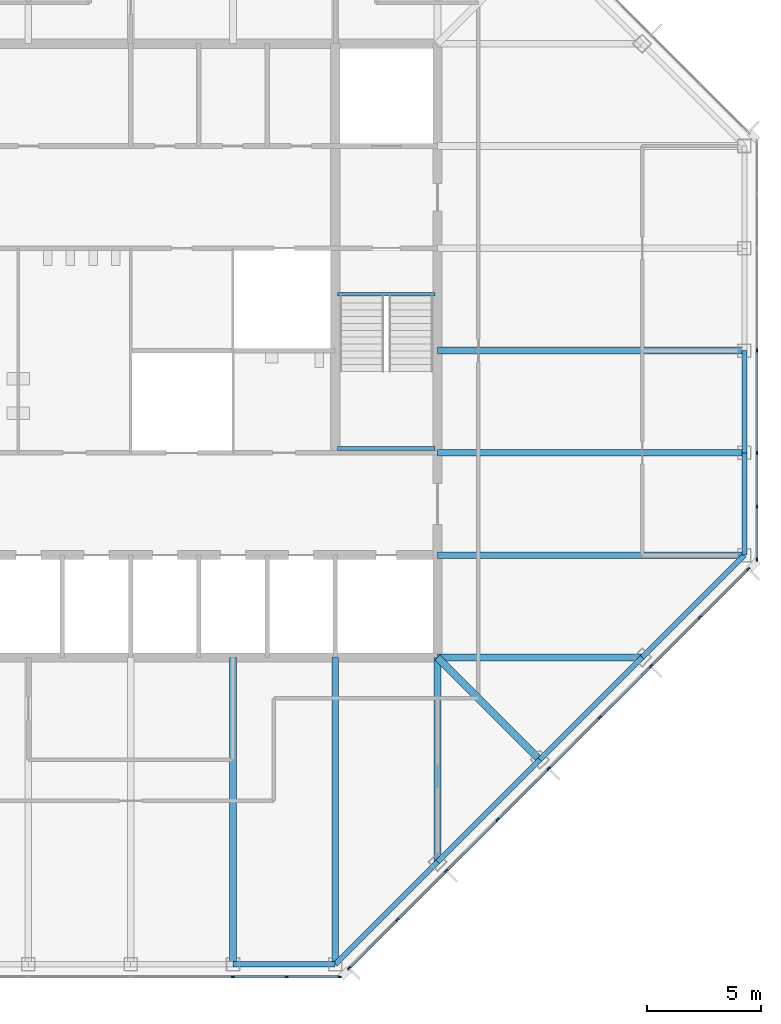
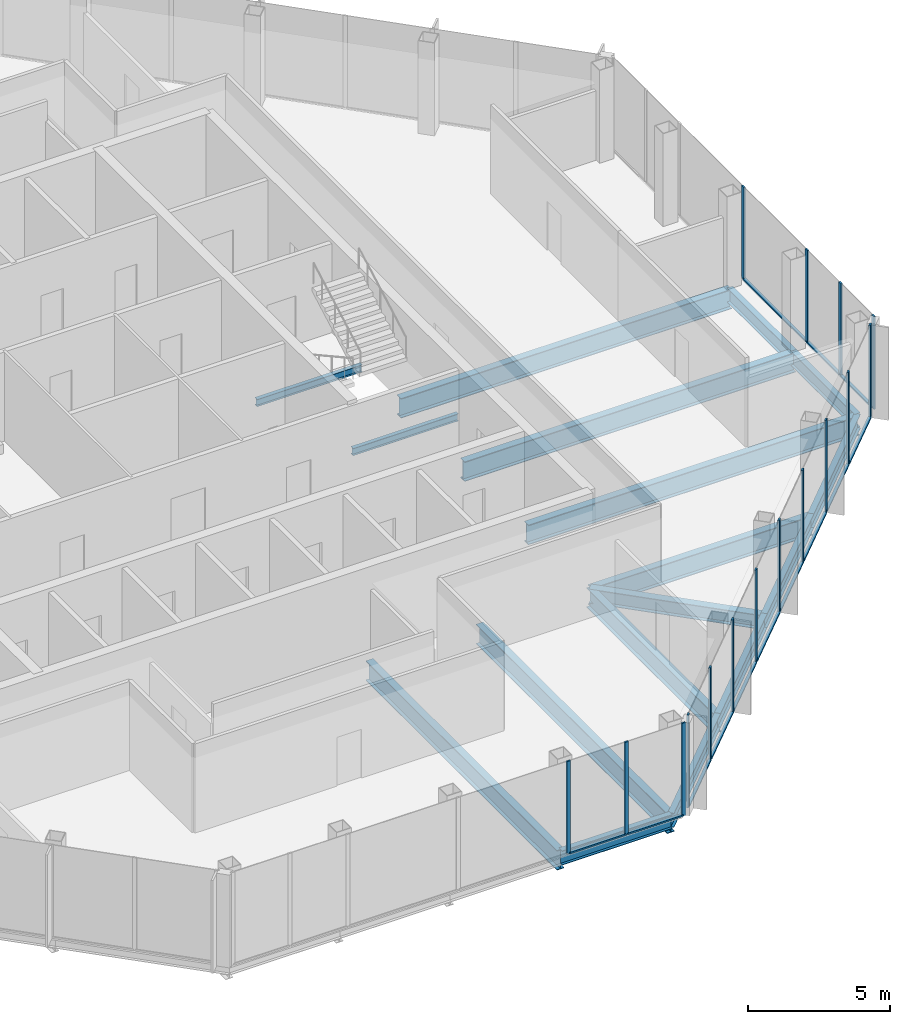
# One storey, part 4 of 14: 29 members, 17 beams, 3 elements without a shape of their own.
"""IFC4 building model written with IfcOpenShell, lengths in metres."""

from ifc_helpers import new_model, si_unit, direction, frame, origin, origin_2d, place, context, subcontext, project, spatial, rectangle, i_section, extrude, material, material_profile, profile_set, type_object, element, aggregate, save


model = new_model("IFC4")

# Units and contexts
model_context = context("Model", 3, precision=1e-05, world=origin(), true_north=direction((0.0, 1.0)))
body_context = subcontext(model_context, "Body", "Model", "MODEL_VIEW")
ifc_project = project(units=[si_unit("LENGTHUNIT", "METRE"), si_unit("AREAUNIT", "SQUARE_METRE"), si_unit("VOLUMEUNIT", "CUBIC_METRE"), si_unit("PLANEANGLEUNIT", "RADIAN"), si_unit("MASSUNIT", "GRAM", prefix="KILO")], contexts=[model_context])

# Site, building, storey
site_placement = place(None, origin())
site = spatial("IfcSite", under=ifc_project, at=site_placement, CompositionType="ELEMENT")
building_placement = place(site_placement, origin())
building = spatial("IfcBuilding", under=site, at=building_placement, Name="Corais Broadcast Tower", CompositionType="ELEMENT")
storey_placement = place(building_placement, frame((0.0, 0.0, 266.60009765625)))
storey = spatial("IfcBuildingStorey", under=building, at=storey_placement, Name="L62", CompositionType="ELEMENT", Elevation=266.60009765625)

# Beams
ifc_material_1 = material(Name="Steel ASTM A572 Grade 50", Category="steel")
ifc_material_profile_1 = material_profile(ifc_material_1, i_section(OverallWidth=0.323974609375, OverallDepth=0.611083984375, WebThickness=0.0126953125, FlangeThickness=0.01904296875, at=origin_2d()), Name="W610x155")
ifc_profile_set_1 = profile_set([ifc_material_profile_1], Name="Steel ASTM A572 Grade 50")
beam_type_1 = type_object("IfcBeamType", Name="Corner diagonal W610x155", PredefinedType="BEAM", material=ifc_profile_set_1)
beam_1_placement = place(storey_placement, frame((45.0, 9.0, -0.465576171875), z_axis=(-0.707106781187, 0.707106781187, 0.0), x_axis=(-0.707106781187, -0.707106781187, 0.0)))
element("IfcBeam", 1, at=beam_1_placement, inside=storey, type_object=beam_type_1, Name="B6 C/13 to D/12", PredefinedType="BEAM", context=body_context, shape_type="SweptSolid", body=[
    extrude(i_section(OverallWidth=0.323974609375, OverallDepth=0.611083984375, WebThickness=0.0126953125, FlangeThickness=0.01904296875, at=origin_2d()), origin(), (0.0, 0.0, 1.0), 6.364013671875),
])
ifc_material_2 = material(Name="Steel ASTM A572 Grade 50", Category="steel")
ifc_material_profile_2 = material_profile(ifc_material_2, i_section(OverallWidth=0.2939453125, OverallDepth=0.85107421875, WebThickness=0.01611328125, FlangeThickness=0.02685546875, at=origin_2d()), Name="W840x226")
ifc_profile_set_2 = profile_set([ifc_material_profile_2], Name="Steel ASTM A572 Grade 50")
beam_type_2 = type_object("IfcBeamType", Name="Floor beam W840x226", PredefinedType="BEAM", material=ifc_profile_set_2)
for number, where, z_axis, x_axis, name in (
    (2, (31.5, 0.0, -0.585693359375), (0.0, 1.0, 0.0), (-1.0, 0.0, 0.0), "B1 A/10 to D/10"),
    (3, (36.0, 0.0, -0.585693359375), (0.0, 1.0, 0.0), (-1.0, 0.0, 0.0), "B1 A/11 to D/11"),
):
    element("IfcBeam", number, at=place(storey_placement, frame(where, z_axis=z_axis, x_axis=x_axis)), inside=storey, type_object=beam_type_2, Name=name, PredefinedType="BEAM", context=body_context, shape_type="SweptSolid", body=[
        extrude(i_section(OverallWidth=0.2939453125, OverallDepth=0.85107421875, WebThickness=0.01611328125, FlangeThickness=0.02685546875, at=origin_2d()), origin(), (0.0, 0.0, 1.0), 13.5),
    ])
for number, where, z_axis, x_axis, name in (
    (4, (40.5, 4.5, -0.585693359375), (0.0, 1.0, 0.0), (-1.0, 0.0, 0.0), "B1 B/12 to D/12"),
    (5, (49.5, 13.5, -0.585693359375), (-1.0, 0.0, 0.0), (0.0, -1.0, 0.0), "B1 D/14 to D/12"),
):
    element("IfcBeam", number, at=place(storey_placement, frame(where, z_axis=z_axis, x_axis=x_axis)), inside=storey, type_object=beam_type_2, Name=name, PredefinedType="BEAM", context=body_context, shape_type="SweptSolid", body=[
        extrude(i_section(OverallWidth=0.2939453125, OverallDepth=0.85107421875, WebThickness=0.01611328125, FlangeThickness=0.02685546875, at=origin_2d()), origin(), (0.0, 0.0, 1.0), 9.0),
    ])
for number, where, z_axis, x_axis, name in (
    (6, (54.0, 18.0, -0.585693359375), (-1.0, 0.0, 0.0), (0.0, -1.0, 0.0), "B1 E/15 to E/12"),
    (7, (54.0, 22.5, -0.585693359375), (-1.0, 0.0, 0.0), (0.0, -1.0, 0.0), "B1 F/15 to F/12"),
    (8, (54.0, 27.0, -0.585693359375), (-1.0, 0.0, 0.0), (0.0, -1.0, 0.0), "B1 G/15 to G/12"),
):
    element("IfcBeam", number, at=place(storey_placement, frame(where, z_axis=z_axis, x_axis=x_axis)), inside=storey, type_object=beam_type_2, Name=name, PredefinedType="BEAM", context=body_context, shape_type="SweptSolid", body=[
        extrude(i_section(OverallWidth=0.2939453125, OverallDepth=0.85107421875, WebThickness=0.01611328125, FlangeThickness=0.02685546875, at=origin_2d()), origin(), (0.0, 0.0, 1.0), 13.5),
    ])
ifc_material_3 = material(Name="Steel ASTM A572 Grade 50", Category="steel")
ifc_material_profile_3 = material_profile(ifc_material_3, i_section(OverallWidth=0.1650390625, OverallDepth=0.31005859375, WebThickness=0.005859375, FlangeThickness=0.009765625, at=origin_2d()), Name="W310x38.7")
ifc_profile_set_3 = profile_set([ifc_material_profile_3], Name="Steel ASTM A572 Grade 50")
beam_type_3 = type_object("IfcBeamType", Name="Landing trimmer W310x38.7", PredefinedType="BEAM", material=ifc_profile_set_3)
for number, where, z_axis, x_axis, name in (
    (9, (36.10009765625, 29.47509765625, -0.35498046875), (1.0, 0.0, 0.0), (0.0, 1.0, 0.0), "LT1 stair B landing trimmer L62"),
    (10, (36.10009765625, 22.68994140625, 1.64501953125), (1.0, 0.0, 0.0), (0.0, 1.0, 0.0), "LT1 stair B half landing trimmer L62"),
):
    element("IfcBeam", number, at=place(storey_placement, frame(where, z_axis=z_axis, x_axis=x_axis)), inside=storey, type_object=beam_type_3, Name=name, PredefinedType="BEAM", context=body_context, shape_type="SweptSolid", body=[
        extrude(i_section(OverallWidth=0.1650390625, OverallDepth=0.31005859375, WebThickness=0.005859375, FlangeThickness=0.009765625, at=origin_2d()), origin(), (0.0, 0.0, 1.0), 4.2998046875),
    ])

# Curtain wall, members
ifc_material_4 = material(Name="Aluminium and glass", Category="aluminium")
curtain_wall_type = type_object("IfcCurtainWallType", Name="Unitised fritted curtain wall CW3", PredefinedType="NOTDEFINED", material=ifc_material_4)
curtain_wall_1_placement = place(storey_placement, origin())
curtain_wall_1 = element("IfcCurtainWall", 11, at=curtain_wall_1_placement, inside=storey, type_object=curtain_wall_type, Name="CW3 curtain wall L62 6", PredefinedType="NOTDEFINED")
ifc_material_5 = material(Name="Aluminium 6063-T6", Category="aluminium")
ifc_material_profile_4 = material_profile(ifc_material_5, rectangle(XDim=0.06494140625, YDim=0.159912109375, at=origin_2d()), Name="Mullion CW3 65x160")
ifc_profile_set_4 = profile_set([ifc_material_profile_4], Name="Aluminium 6063-T6")
member_type_1 = type_object("IfcMemberType", Name="Mullion CW3 65x160", PredefinedType="MULLION", material=ifc_profile_set_4)
member_1_placement = place(storey_placement, frame((54.550048828125, 27.0, 0.0), z_axis=(0.0, 0.0, 1.0), x_axis=(1.0, 0.0, 0.0)))
member_1 = element("IfcMember", 12, at=member_1_placement, type_object=member_type_1, Name="CW3 mullion 4", PredefinedType="MULLION", context=body_context, shape_type="SweptSolid", body=[
    extrude(rectangle(XDim=0.06494140625, YDim=0.159912109375, at=origin_2d()), origin(), (0.0, 0.0, 1.0), 4.0),
])
member_2_placement = place(storey_placement, frame((54.550048828125, 22.5, 0.0), z_axis=(0.0, 0.0, 1.0), x_axis=(1.0, 0.0, 0.0)))
member_2 = element("IfcMember", 13, at=member_2_placement, type_object=member_type_1, Name="CW3 mullion 5", PredefinedType="MULLION", context=body_context, shape_type="SweptSolid", body=[
    extrude(rectangle(XDim=0.06494140625, YDim=0.159912109375, at=origin_2d()), origin(), (0.0, 0.0, 1.0), 4.0),
])
member_3_placement = place(storey_placement, frame((54.550048828125, 20.135986328125, 0.0), z_axis=(0.0, 0.0, 1.0), x_axis=(1.0, 0.0, 0.0)))
member_3 = element("IfcMember", 14, at=member_3_placement, type_object=member_type_1, Name="CW3 mullion 6", PredefinedType="MULLION", context=body_context, shape_type="SweptSolid", body=[
    extrude(rectangle(XDim=0.06494140625, YDim=0.159912109375, at=origin_2d()), origin(), (0.0, 0.0, 1.0), 4.0),
])
member_4_placement = place(storey_placement, frame((54.550048828125, 17.8046875, 0.0), z_axis=(0.0, 0.0, 1.0), x_axis=(1.0, 0.0, 0.0)))
member_4 = element("IfcMember", 15, at=member_4_placement, type_object=member_type_1, Name="CW3 mullion 7", PredefinedType="MULLION", context=body_context, shape_type="SweptSolid", body=[
    extrude(rectangle(XDim=0.06494140625, YDim=0.159912109375, at=origin_2d()), origin(), (0.0, 0.0, 1.0), 4.0),
])

curtain_wall_2_placement = place(storey_placement, origin())
curtain_wall_2 = element("IfcCurtainWall", 16, at=curtain_wall_2_placement, inside=storey, type_object=curtain_wall_type, Name="CW3 curtain wall L62 7", PredefinedType="NOTDEFINED")
member_5_placement = place(storey_placement, frame((54.17333984375, 17.3955078125, 0.0), z_axis=(0.0, 0.0, 1.0), x_axis=(0.707106781187, -0.707106781187, 0.0)))
member_5 = element("IfcMember", 17, at=member_5_placement, type_object=member_type_1, Name="CW3 mullion 1", PredefinedType="MULLION", context=body_context, shape_type="SweptSolid", body=[
    extrude(rectangle(XDim=0.06494140625, YDim=0.159912109375, at=origin_2d()), origin(), (0.0, 0.0, 1.0), 4.0),
])
member_6_placement = place(storey_placement, frame((52.042724609375, 15.264892578125, 0.0), z_axis=(0.0, 0.0, 1.0), x_axis=(0.707106781187, -0.707106781187, 0.0)))
member_6 = element("IfcMember", 18, at=member_6_placement, type_object=member_type_1, Name="CW3 mullion 2", PredefinedType="MULLION", context=body_context, shape_type="SweptSolid", body=[
    extrude(rectangle(XDim=0.06494140625, YDim=0.159912109375, at=origin_2d()), origin(), (0.0, 0.0, 1.0), 4.0),
])
member_7_placement = place(storey_placement, frame((49.888916015625, 13.111083984375, 0.0), z_axis=(0.0, 0.0, 1.0), x_axis=(0.707106781187, -0.707106781187, 0.0)))
member_7 = element("IfcMember", 19, at=member_7_placement, type_object=member_type_1, Name="CW3 mullion 3", PredefinedType="MULLION", context=body_context, shape_type="SweptSolid", body=[
    extrude(rectangle(XDim=0.06494140625, YDim=0.159912109375, at=origin_2d()), origin(), (0.0, 0.0, 1.0), 4.0),
])
member_8_placement = place(storey_placement, frame((47.638916015625, 10.861083984375, 0.0), z_axis=(0.0, 0.0, 1.0), x_axis=(0.707106781187, -0.707106781187, 0.0)))
member_8 = element("IfcMember", 20, at=member_8_placement, type_object=member_type_1, Name="CW3 mullion 4", PredefinedType="MULLION", context=body_context, shape_type="SweptSolid", body=[
    extrude(rectangle(XDim=0.06494140625, YDim=0.159912109375, at=origin_2d()), origin(), (0.0, 0.0, 1.0), 4.0),
])
member_9_placement = place(storey_placement, frame((45.388916015625, 8.611083984375, 0.0), z_axis=(0.0, 0.0, 1.0), x_axis=(0.707106781187, -0.707106781187, 0.0)))
member_9 = element("IfcMember", 21, at=member_9_placement, type_object=member_type_1, Name="CW3 mullion 5", PredefinedType="MULLION", context=body_context, shape_type="SweptSolid", body=[
    extrude(rectangle(XDim=0.06494140625, YDim=0.159912109375, at=origin_2d()), origin(), (0.0, 0.0, 1.0), 4.0),
])
member_10_placement = place(storey_placement, frame((43.138916015625, 6.361083984375, 0.0), z_axis=(0.0, 0.0, 1.0), x_axis=(0.707106781187, -0.707106781187, 0.0)))
member_10 = element("IfcMember", 22, at=member_10_placement, type_object=member_type_1, Name="CW3 mullion 6", PredefinedType="MULLION", context=body_context, shape_type="SweptSolid", body=[
    extrude(rectangle(XDim=0.06494140625, YDim=0.159912109375, at=origin_2d()), origin(), (0.0, 0.0, 1.0), 4.0),
])
member_11_placement = place(storey_placement, frame((40.888916015625, 4.111083984375, 0.0), z_axis=(0.0, 0.0, 1.0), x_axis=(0.707106781187, -0.707106781187, 0.0)))
member_11 = element("IfcMember", 23, at=member_11_placement, type_object=member_type_1, Name="CW3 mullion 7", PredefinedType="MULLION", context=body_context, shape_type="SweptSolid", body=[
    extrude(rectangle(XDim=0.06494140625, YDim=0.159912109375, at=origin_2d()), origin(), (0.0, 0.0, 1.0), 4.0),
])
member_12_placement = place(storey_placement, frame((38.735107421875, 1.957275390625, 0.0), z_axis=(0.0, 0.0, 1.0), x_axis=(0.707106781187, -0.707106781187, 0.0)))
member_12 = element("IfcMember", 24, at=member_12_placement, type_object=member_type_1, Name="CW3 mullion 8", PredefinedType="MULLION", context=body_context, shape_type="SweptSolid", body=[
    extrude(rectangle(XDim=0.06494140625, YDim=0.159912109375, at=origin_2d()), origin(), (0.0, 0.0, 1.0), 4.0),
])
member_13_placement = place(storey_placement, frame((36.6044921875, -0.17333984375, 0.0), z_axis=(0.0, 0.0, 1.0), x_axis=(0.707106781187, -0.707106781187, 0.0)))
member_13 = element("IfcMember", 25, at=member_13_placement, type_object=member_type_1, Name="CW3 mullion 9", PredefinedType="MULLION", context=body_context, shape_type="SweptSolid", body=[
    extrude(rectangle(XDim=0.06494140625, YDim=0.159912109375, at=origin_2d()), origin(), (0.0, 0.0, 1.0), 4.0),
])

curtain_wall_3_placement = place(storey_placement, origin())
curtain_wall_3 = element("IfcCurtainWall", 26, at=curtain_wall_3_placement, inside=storey, type_object=curtain_wall_type, Name="CW3 curtain wall L62 8", PredefinedType="NOTDEFINED")
member_14_placement = place(storey_placement, frame((36.1953125, -0.550048828125, 0.0), z_axis=(0.0, 0.0, 1.0), x_axis=(0.0, -1.0, 0.0)))
member_14 = element("IfcMember", 27, at=member_14_placement, type_object=member_type_1, Name="CW3 mullion 1", PredefinedType="MULLION", context=body_context, shape_type="SweptSolid", body=[
    extrude(rectangle(XDim=0.06494140625, YDim=0.159912109375, at=origin_2d()), origin(), (0.0, 0.0, 1.0), 4.0),
])
member_15_placement = place(storey_placement, frame((33.864013671875, -0.550048828125, 0.0), z_axis=(0.0, 0.0, 1.0), x_axis=(0.0, -1.0, 0.0)))
member_15 = element("IfcMember", 28, at=member_15_placement, type_object=member_type_1, Name="CW3 mullion 2", PredefinedType="MULLION", context=body_context, shape_type="SweptSolid", body=[
    extrude(rectangle(XDim=0.06494140625, YDim=0.159912109375, at=origin_2d()), origin(), (0.0, 0.0, 1.0), 4.0),
])
member_16_placement = place(storey_placement, frame((31.5, -0.550048828125, 0.0), z_axis=(0.0, 0.0, 1.0), x_axis=(0.0, -1.0, 0.0)))
member_16 = element("IfcMember", 29, at=member_16_placement, type_object=member_type_1, Name="CW3 mullion 3", PredefinedType="MULLION", context=body_context, shape_type="SweptSolid", body=[
    extrude(rectangle(XDim=0.06494140625, YDim=0.159912109375, at=origin_2d()), origin(), (0.0, 0.0, 1.0), 4.0),
])

# Beams
ifc_material_6 = material(Name="Steel ASTM A572 Grade 50", Category="steel")
ifc_material_profile_5 = material_profile(ifc_material_6, i_section(OverallWidth=0.22998046875, OverallDepth=0.616943359375, WebThickness=0.01318359375, FlangeThickness=0.022216796875, at=origin_2d()), Name="W610x140")
ifc_profile_set_5 = profile_set([ifc_material_profile_5], Name="Steel ASTM A572 Grade 50")
beam_type_4 = type_object("IfcBeamType", Name="Spandrel W610x140", PredefinedType="BEAM", material=ifc_profile_set_5)
beam_2_placement = place(storey_placement, frame((31.5, 0.0, -0.468505859375), z_axis=(1.0, 0.0, 0.0), x_axis=(0.0, 1.0, 0.0)))
element("IfcBeam", 30, at=beam_2_placement, inside=storey, type_object=beam_type_4, Name="SB3 A/10 to A/11", PredefinedType="BEAM", context=body_context, shape_type="SweptSolid", body=[
    extrude(i_section(OverallWidth=0.22998046875, OverallDepth=0.616943359375, WebThickness=0.01318359375, FlangeThickness=0.022216796875, at=origin_2d()), origin(), (0.0, 0.0, 1.0), 4.5),
])
for number, where, z_axis, x_axis, name in (
    (31, (36.0, 0.0, -0.468505859375), (0.707106781187, 0.707106781187, 0.0), (-0.707106781187, 0.707106781187, 0.0), "SB3 A/11 to B/12"),
    (32, (40.5, 4.5, -0.468505859375), (0.707106781187, 0.707106781187, 0.0), (-0.707106781187, 0.707106781187, 0.0), "SB3 B/12 to C/13"),
    (33, (45.0, 9.0, -0.468505859375), (0.707106781187, 0.707106781187, 0.0), (-0.707106781187, 0.707106781187, 0.0), "SB3 C/13 to D/14"),
    (34, (49.5, 13.5, -0.468505859375), (0.707106781187, 0.707106781187, 0.0), (-0.707106781187, 0.707106781187, 0.0), "SB3 D/14 to E/15"),
):
    element("IfcBeam", number, at=place(storey_placement, frame(where, z_axis=z_axis, x_axis=x_axis)), inside=storey, type_object=beam_type_4, Name=name, PredefinedType="BEAM", context=body_context, shape_type="SweptSolid", body=[
        extrude(i_section(OverallWidth=0.22998046875, OverallDepth=0.616943359375, WebThickness=0.01318359375, FlangeThickness=0.022216796875, at=origin_2d()), origin(), (0.0, 0.0, 1.0), 6.364013671875),
    ])
for number, where, z_axis, x_axis, name in (
    (35, (54.0, 18.0, -0.468505859375), (0.0, 1.0, 0.0), (-1.0, 0.0, 0.0), "SB3 E/15 to F/15"),
    (36, (54.0, 22.5, -0.468505859375), (0.0, 1.0, 0.0), (-1.0, 0.0, 0.0), "SB3 F/15 to G/15"),
):
    element("IfcBeam", number, at=place(storey_placement, frame(where, z_axis=z_axis, x_axis=x_axis)), inside=storey, type_object=beam_type_4, Name=name, PredefinedType="BEAM", context=body_context, shape_type="SweptSolid", body=[
        extrude(i_section(OverallWidth=0.22998046875, OverallDepth=0.616943359375, WebThickness=0.01318359375, FlangeThickness=0.022216796875, at=origin_2d()), origin(), (0.0, 0.0, 1.0), 4.5),
    ])

# Member
ifc_material_7 = material(Name="Aluminium 6063-T6", Category="aluminium")
ifc_material_profile_6 = material_profile(ifc_material_7, rectangle(XDim=0.1201171875, YDim=0.06494140625, at=origin_2d()), Name="Transom CW3 65x120")
ifc_profile_set_6 = profile_set([ifc_material_profile_6], Name="Aluminium 6063-T6")
member_type_2 = type_object("IfcMemberType", Name="Transom CW3 65x120", PredefinedType="USERDEFINED", material=ifc_profile_set_6)
member_17_placement = place(storey_placement, frame((54.550048828125, 26.967529296875, 0.032470703125), z_axis=(0.0, -1.0, 0.0), x_axis=(1.0, 0.0, 0.0)))
member_17 = element("IfcMember", 37, at=member_17_placement, type_object=member_type_2, Name="CW3 transom 4.1", ObjectType="TRANSOM", PredefinedType="USERDEFINED", context=body_context, shape_type="SweptSolid", body=[
    extrude(rectangle(XDim=0.1201171875, YDim=0.06494140625, at=origin_2d()), origin(), (0.0, 0.0, 1.0), 4.43505859375),
])

member_18_placement = place(storey_placement, frame((54.550048828125, 22.467529296875, 0.032470703125), z_axis=(0.0, -1.0, 0.0), x_axis=(1.0, 0.0, 0.0)))
member_18 = element("IfcMember", 38, at=member_18_placement, type_object=member_type_2, Name="CW3 transom 5.1", ObjectType="TRANSOM", PredefinedType="USERDEFINED", context=body_context, shape_type="SweptSolid", body=[
    extrude(rectangle(XDim=0.1201171875, YDim=0.06494140625, at=origin_2d()), origin(), (0.0, 0.0, 1.0), 2.298828125),
])

member_19_placement = place(storey_placement, frame((54.550048828125, 20.103515625, 0.032470703125), z_axis=(0.0, -1.0, 0.0), x_axis=(1.0, 0.0, 0.0)))
member_19 = element("IfcMember", 39, at=member_19_placement, type_object=member_type_2, Name="CW3 transom 6.1", ObjectType="TRANSOM", PredefinedType="USERDEFINED", context=body_context, shape_type="SweptSolid", body=[
    extrude(rectangle(XDim=0.1201171875, YDim=0.06494140625, at=origin_2d()), origin(), (0.0, 0.0, 1.0), 2.266357421875),
])

aggregate(curtain_wall_1, [member_1, member_2, member_3, member_4, member_17, member_18, member_19])

member_20_placement = place(storey_placement, frame((54.150390625, 17.37255859375, 0.032470703125), z_axis=(-0.707106781187, -0.707106781187, 0.0), x_axis=(0.707106781187, -0.707106781187, 0.0)))
member_20 = element("IfcMember", 40, at=member_20_placement, type_object=member_type_2, Name="CW3 transom 1.1", ObjectType="TRANSOM", PredefinedType="USERDEFINED", context=body_context, shape_type="SweptSolid", body=[
    extrude(rectangle(XDim=0.1201171875, YDim=0.06494140625, at=origin_2d()), origin(), (0.0, 0.0, 1.0), 2.9482421875),
])

member_21_placement = place(storey_placement, frame((52.019775390625, 15.241943359375, 0.032470703125), z_axis=(-0.707106781187, -0.707106781187, 0.0), x_axis=(0.707106781187, -0.707106781187, 0.0)))
member_21 = element("IfcMember", 41, at=member_21_placement, type_object=member_type_2, Name="CW3 transom 2.1", ObjectType="TRANSOM", PredefinedType="USERDEFINED", context=body_context, shape_type="SweptSolid", body=[
    extrude(rectangle(XDim=0.1201171875, YDim=0.06494140625, at=origin_2d()), origin(), (0.0, 0.0, 1.0), 2.98095703125),
])

member_22_placement = place(storey_placement, frame((49.865966796875, 13.088134765625, 0.032470703125), z_axis=(-0.707106781187, -0.707106781187, 0.0), x_axis=(0.707106781187, -0.707106781187, 0.0)))
member_22 = element("IfcMember", 42, at=member_22_placement, type_object=member_type_2, Name="CW3 transom 3.1", ObjectType="TRANSOM", PredefinedType="USERDEFINED", context=body_context, shape_type="SweptSolid", body=[
    extrude(rectangle(XDim=0.1201171875, YDim=0.06494140625, at=origin_2d()), origin(), (0.0, 0.0, 1.0), 3.1171875),
])

member_23_placement = place(storey_placement, frame((47.615966796875, 10.838134765625, 0.032470703125), z_axis=(-0.707106781187, -0.707106781187, 0.0), x_axis=(0.707106781187, -0.707106781187, 0.0)))
member_23 = element("IfcMember", 43, at=member_23_placement, type_object=member_type_2, Name="CW3 transom 4.1", ObjectType="TRANSOM", PredefinedType="USERDEFINED", context=body_context, shape_type="SweptSolid", body=[
    extrude(rectangle(XDim=0.1201171875, YDim=0.06494140625, at=origin_2d()), origin(), (0.0, 0.0, 1.0), 3.1171875),
])

member_24_placement = place(storey_placement, frame((45.365966796875, 8.588134765625, 0.032470703125), z_axis=(-0.707106781187, -0.707106781187, 0.0), x_axis=(0.707106781187, -0.707106781187, 0.0)))
member_24 = element("IfcMember", 44, at=member_24_placement, type_object=member_type_2, Name="CW3 transom 5.1", ObjectType="TRANSOM", PredefinedType="USERDEFINED", context=body_context, shape_type="SweptSolid", body=[
    extrude(rectangle(XDim=0.1201171875, YDim=0.06494140625, at=origin_2d()), origin(), (0.0, 0.0, 1.0), 3.1171875),
])

member_25_placement = place(storey_placement, frame((43.115966796875, 6.338134765625, 0.032470703125), z_axis=(-0.707106781187, -0.707106781187, 0.0), x_axis=(0.707106781187, -0.707106781187, 0.0)))
member_25 = element("IfcMember", 45, at=member_25_placement, type_object=member_type_2, Name="CW3 transom 6.1", ObjectType="TRANSOM", PredefinedType="USERDEFINED", context=body_context, shape_type="SweptSolid", body=[
    extrude(rectangle(XDim=0.1201171875, YDim=0.06494140625, at=origin_2d()), origin(), (0.0, 0.0, 1.0), 3.1171875),
])

member_26_placement = place(storey_placement, frame((40.865966796875, 4.088134765625, 0.032470703125), z_axis=(-0.70714773134, -0.707065828661, 0.0), x_axis=(0.707065828661, -0.70714773134, 0.0)))
member_26 = element("IfcMember", 46, at=member_26_placement, type_object=member_type_2, Name="CW3 transom 7.1", ObjectType="TRANSOM", PredefinedType="USERDEFINED", context=body_context, shape_type="SweptSolid", body=[
    extrude(rectangle(XDim=0.1201171875, YDim=0.06494140625, at=origin_2d()), origin(), (0.0, 0.0, 1.0), 2.98095703125),
])

member_27_placement = place(storey_placement, frame((38.712158203125, 1.934326171875, 0.032470703125), z_axis=(-0.707106781187, -0.707106781187, 0.0), x_axis=(0.707106781187, -0.707106781187, 0.0)))
member_27 = element("IfcMember", 47, at=member_27_placement, type_object=member_type_2, Name="CW3 transom 8.1", ObjectType="TRANSOM", PredefinedType="USERDEFINED", context=body_context, shape_type="SweptSolid", body=[
    extrude(rectangle(XDim=0.1201171875, YDim=0.06494140625, at=origin_2d()), origin(), (0.0, 0.0, 1.0), 2.9482421875),
])

aggregate(curtain_wall_2, [member_5, member_6, member_7, member_8, member_9, member_10, member_11, member_12, member_13, member_20, member_21, member_22, member_23, member_24, member_25, member_26, member_27])

member_28_placement = place(storey_placement, frame((36.162841796875, -0.550048828125, 0.032470703125), z_axis=(-1.0, 0.0, 0.0), x_axis=(0.0, -1.0, 0.0)))
member_28 = element("IfcMember", 48, at=member_28_placement, type_object=member_type_2, Name="CW3 transom 1.1", ObjectType="TRANSOM", PredefinedType="USERDEFINED", context=body_context, shape_type="SweptSolid", body=[
    extrude(rectangle(XDim=0.1201171875, YDim=0.06494140625, at=origin_2d()), origin(), (0.0, 0.0, 1.0), 2.266357421875),
])

member_29_placement = place(storey_placement, frame((33.831298828125, -0.550048828125, 0.032470703125), z_axis=(-1.0, 0.0, 0.0), x_axis=(0.0, -1.0, 0.0)))
member_29 = element("IfcMember", 49, at=member_29_placement, type_object=member_type_2, Name="CW3 transom 2.1", ObjectType="TRANSOM", PredefinedType="USERDEFINED", context=body_context, shape_type="SweptSolid", body=[
    extrude(rectangle(XDim=0.1201171875, YDim=0.06494140625, at=origin_2d()), origin(), (0.0, 0.0, 1.0), 2.298828125),
])

aggregate(curtain_wall_3, [member_14, member_15, member_16, member_28, member_29])

save(model, "model.ifc")
